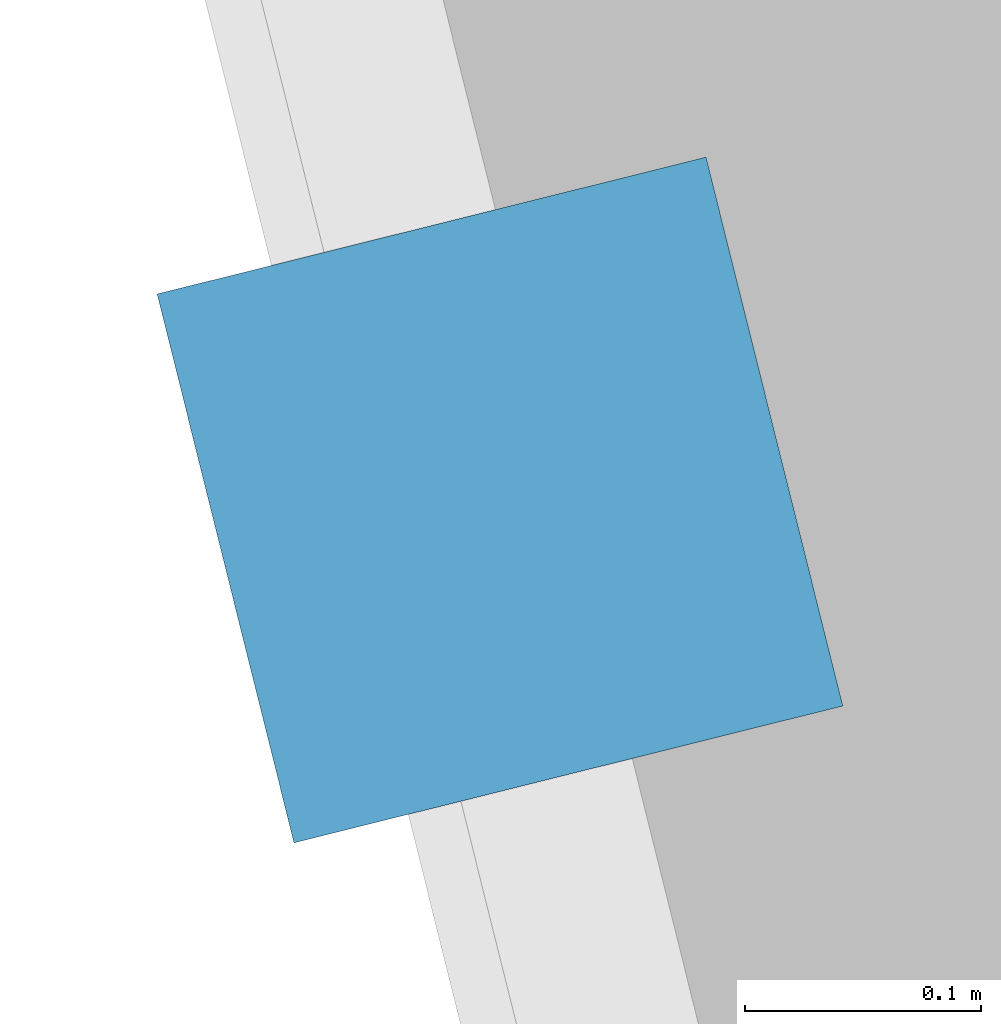
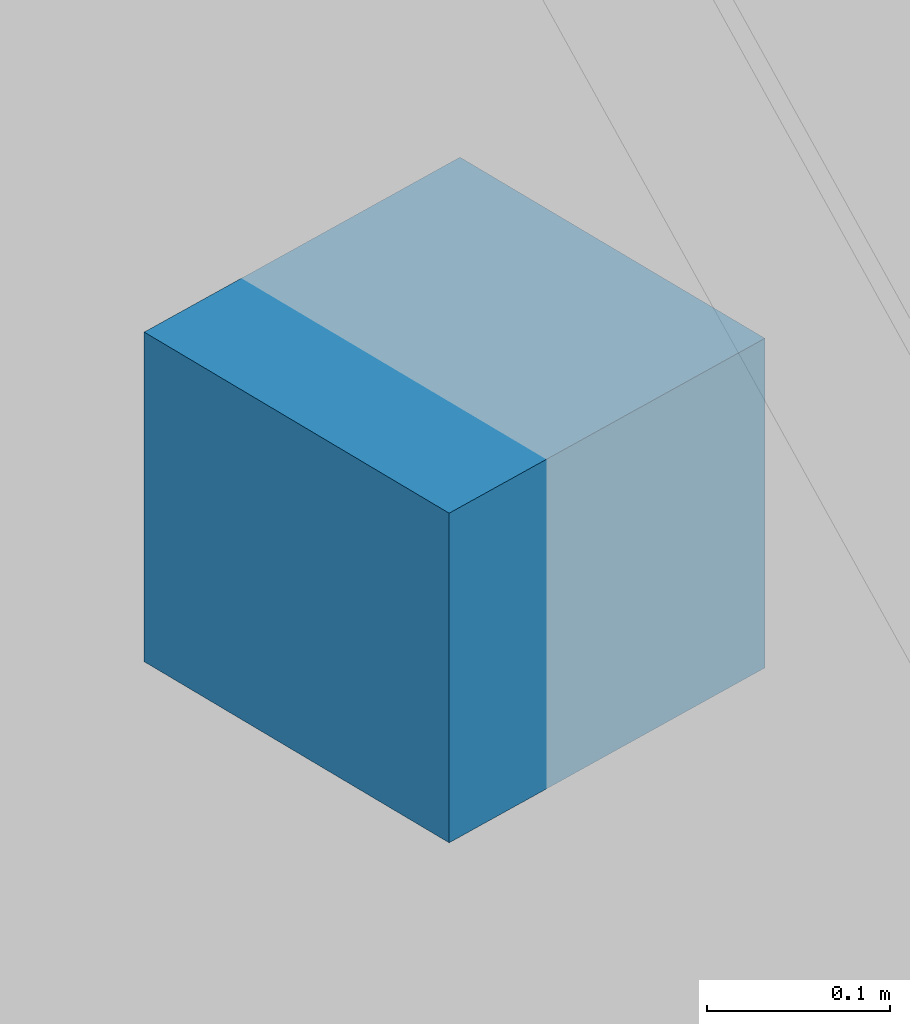
# One storey, part 11 of 14: 1 discrete accessory.
"""IFC4 building model written with IfcOpenShell, lengths in metres."""

from ifc_helpers import new_model, si_unit, direction, frame, origin, origin_2d, place, context, subcontext, project, spatial, rectangle, extrude, material, layer, layer_set, type_object, element, save


model = new_model("IFC4")

# Units and contexts
model_context = context("Model", 3, precision=1e-05, world=origin(), true_north=direction((0.0, 1.0)))
body_context = subcontext(model_context, "Body", "Model", "MODEL_VIEW")
ifc_project = project(units=[si_unit("LENGTHUNIT", "METRE"), si_unit("AREAUNIT", "SQUARE_METRE"), si_unit("VOLUMEUNIT", "CUBIC_METRE"), si_unit("PLANEANGLEUNIT", "RADIAN"), si_unit("MASSUNIT", "GRAM", prefix="KILO")], contexts=[model_context])

# Site, building, storey
site_placement = place(None, origin())
site = spatial("IfcSite", under=ifc_project, at=site_placement, CompositionType="ELEMENT")
building_placement = place(site_placement, origin())
building = spatial("IfcBuilding", under=site, at=building_placement, Name="Mawjan Specialist Oncology Clinic", CompositionType="ELEMENT")
storey_placement = place(building_placement, frame((0.0, 0.0, 17.5)))
storey = spatial("IfcBuildingStorey", under=building, at=storey_placement, Name="L04", CompositionType="ELEMENT", Elevation=17.5)

# Discrete accessory
ifc_material = material(Name="Structural steel S355", Category="steel")
ifc_layer = layer(ifc_material, 0.219970703125, Name="Structural steel S355", Category="steel")
ifc_layer_set = layer_set([ifc_layer], Name="Structural steel S355")
discrete_accessory_type = type_object("IfcDiscreteAccessoryType", Name="BRK-S355", PredefinedType="BRACKET", material=ifc_layer_set)
discrete_accessory_placement = place(storey_placement, frame((122.92236328125, 12.39990234375, 1.392578125), z_axis=(0.0, 0.0, 1.0), x_axis=(-0.2419218956, 0.970295726276, 0.0)))
element("IfcDiscreteAccessory", 1, at=discrete_accessory_placement, inside=storey, type_object=discrete_accessory_type, Name="Rawshan Screen Mounting Bracket 85", PredefinedType="BRACKET", context=body_context, shape_type="SweptSolid", body=[
    extrude(rectangle(XDim=0.239990234375, YDim=0.239990234375, at=origin_2d()), origin(), (0.0, 0.0, 1.0), 0.219970703125),
])

save(model, "model.ifc")
